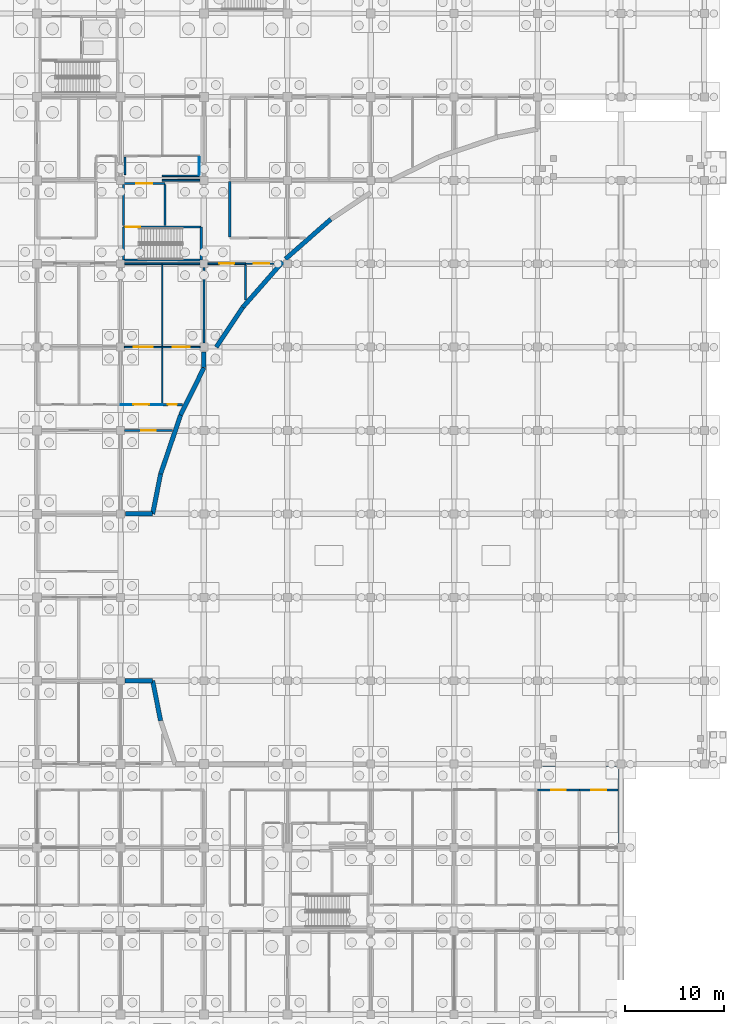
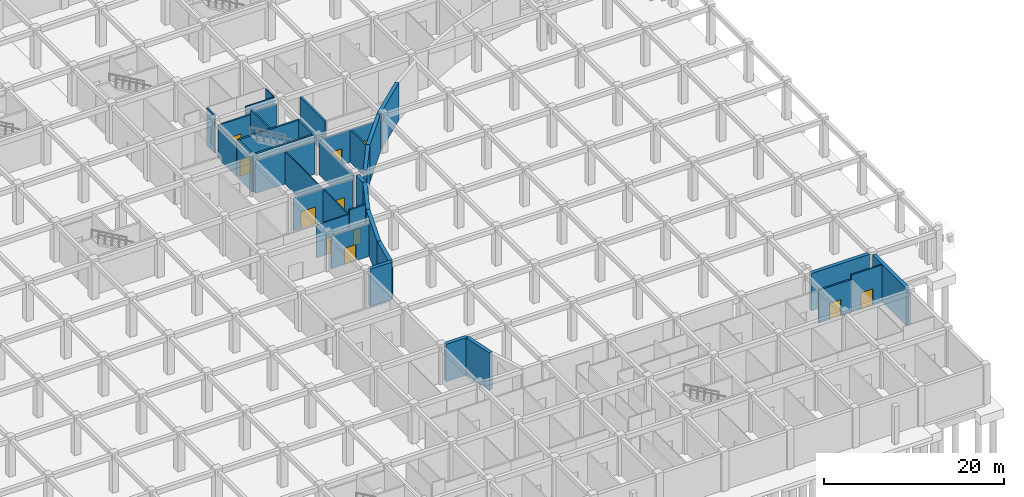
# One storey, part 48 of 65: 39 walls, 11 doors, 11 openings.
"""IFC4 building model written with IfcOpenShell, lengths in metres."""

from ifc_helpers import new_model, si_unit, direction, frame, frame_2d, origin, place, context, subcontext, project, spatial, rectangle, extrude, material, layer, layer_set, type_object, element, fill, save


model = new_model("IFC4")

# Units and contexts
model_context = context("Model", 3, precision=1e-05, world=origin(), true_north=direction((0.0, 1.0)))
body_context = subcontext(model_context, "Body", "Model", "MODEL_VIEW")
ifc_project = project(units=[si_unit("LENGTHUNIT", "METRE"), si_unit("AREAUNIT", "SQUARE_METRE"), si_unit("VOLUMEUNIT", "CUBIC_METRE"), si_unit("PLANEANGLEUNIT", "RADIAN"), si_unit("MASSUNIT", "GRAM", prefix="KILO")], contexts=[model_context])

# Site, building, storey
site_placement = place(None, origin())
site = spatial("IfcSite", under=ifc_project, at=site_placement, CompositionType="ELEMENT")
building_placement = place(site_placement, origin())
building = spatial("IfcBuilding", under=site, at=building_placement, Name="Bramfleet General Hospital", CompositionType="ELEMENT")
storey_placement = place(building_placement, frame((0.0, 0.0, -5.39990234375)))
storey = spatial("IfcBuildingStorey", under=building, at=storey_placement, Name="B1", CompositionType="ELEMENT", Elevation=-5.39990234375)

# Walls
ifc_material_1 = material(Name="Concrete C35/45", Category="concrete")
ifc_layer_1 = layer(ifc_material_1, 0.449951171875, Name="WT-EW-01")
ifc_layer_set_1 = layer_set([ifc_layer_1], Name="Concrete C35/45")
wall_type_1 = type_object("IfcWallType", Name="WT-EW-01", PredefinedType="SOLIDWALL", material=ifc_layer_set_1)
for number, where, z_axis, x_axis, name in (
    (1, (147.178955078125, 80.0810546875, 0.0), (0.0, 0.0, 1.0), (-0.751754569085, -0.659442998189, 0.0), "B1 Waterproof Retaining Wall 41"),
    (2, (142.324951171875, 75.7880859375, 0.0), (0.0, 0.0, 1.0), (-0.659400362996, -0.751791966758, 0.0), "B1 Waterproof Retaining Wall 42"),
):
    element("IfcWall", number, at=place(storey_placement, frame(where, z_axis=z_axis, x_axis=x_axis)), inside=storey, type_object=wall_type_1, Name=name, PredefinedType="SOLIDWALL", context=body_context, shape_type="SweptSolid", body=[
        extrude(rectangle(XDim=6.074951171875, YDim=0.449951171875, at=frame_2d((3.03759765625, 0.0))), origin(), (0.0, 0.0, 1.0), 5.079833984375),
    ])
wall_1_placement = place(storey_placement, frame((138.319091796875, 71.220947265625, 0.0), z_axis=(0.0, 0.0, 1.0), x_axis=(-0.555468930348, -0.831537291658, 0.0)))
element("IfcWall", 3, at=wall_1_placement, inside=storey, type_object=wall_type_1, Name="B1 Waterproof Retaining Wall 43", PredefinedType="SOLIDWALL", context=body_context, shape_type="SweptSolid", body=[
    extrude(rectangle(XDim=4.835693359375, YDim=0.449951171875, at=frame_2d((2.41796875, 0.0))), origin(), (0.0, 0.0, 1.0), 5.079833984375),
])
wall_2_placement = place(storey_placement, frame((134.39990234375, 66.72509765625, 0.0), z_axis=(0.0, 0.0, 1.0), x_axis=(0.0, -1.0, 0.0)))
element("IfcWall", 4, at=wall_2_placement, inside=storey, type_object=wall_type_1, Name="B1 Waterproof Retaining Wall 44", PredefinedType="SOLIDWALL", context=body_context, shape_type="SweptSolid", body=[
    extrude(rectangle(XDim=1.59912109375, YDim=0.449951171875, at=frame_2d((0.799560546875, 0.0))), origin(), (0.0, 0.0, 1.0), 5.079833984375),
])
wall_3_placement = place(storey_placement, frame((134.39990234375, 65.1259765625, 0.0), z_axis=(0.0, 0.0, 1.0), x_axis=(-0.442290962563, -0.896871620933, 0.0)))
element("IfcWall", 5, at=wall_3_placement, inside=storey, type_object=wall_type_1, Name="B1 Waterproof Retaining Wall 45", PredefinedType="SOLIDWALL", context=body_context, shape_type="SweptSolid", body=[
    extrude(rectangle(XDim=5.30419921875, YDim=0.449951171875, at=frame_2d((2.652099609375, 0.0))), origin(), (0.0, 0.0, 1.0), 5.079833984375),
])
wall_4_placement = place(storey_placement, frame((132.053955078125, 60.368896484375, 0.0), z_axis=(0.0, 0.0, 1.0), x_axis=(-0.321402193691, -0.946942780685, 0.0)))
element("IfcWall", 6, at=wall_4_placement, inside=storey, type_object=wall_type_1, Name="B1 Waterproof Retaining Wall 46", PredefinedType="SOLIDWALL", context=body_context, shape_type="SweptSolid", body=[
    extrude(rectangle(XDim=6.279052734375, YDim=0.449951171875, at=frame_2d((3.1396484375, 0.0))), origin(), (0.0, 0.0, 1.0), 5.079833984375),
])
wall_5_placement = place(storey_placement, frame((130.035888671875, 54.423095703125, 0.0), z_axis=(0.0, 0.0, 1.0), x_axis=(-0.195211869209, -0.980761095334, 0.0)))
element("IfcWall", 7, at=wall_5_placement, inside=storey, type_object=wall_type_1, Name="B1 Waterproof Retaining Wall 47", PredefinedType="SOLIDWALL", context=body_context, shape_type="SweptSolid", body=[
    extrude(rectangle(XDim=4.10205078125, YDim=0.449951171875, at=frame_2d((2.051025390625, 0.0))), origin(), (0.0, 0.0, 1.0), 5.079833984375),
])
for number, where, z_axis, x_axis, name in (
    (8, (129.235107421875, 50.39990234375, 0.0), (0.0, 0.0, 1.0), (-1.0, 0.0, 0.0), "B1 Waterproof Retaining Wall 48"),
    (9, (126.47509765625, 33.60009765625, 0.0), (0.0, 0.0, 1.0), (1.0, 0.0, 0.0), "B1 Waterproof Retaining Wall 51"),
):
    element("IfcWall", number, at=place(storey_placement, frame(where, z_axis=z_axis, x_axis=x_axis)), inside=storey, type_object=wall_type_1, Name=name, PredefinedType="SOLIDWALL", context=body_context, shape_type="SweptSolid", body=[
        extrude(rectangle(XDim=2.760009765625, YDim=0.449951171875, at=frame_2d((1.3798828125, 0.0))), origin(), (0.0, 0.0, 1.0), 5.079833984375),
    ])
wall_6_placement = place(storey_placement, frame((129.235107421875, 33.60009765625, 0.0), z_axis=(0.0, 0.0, 1.0), x_axis=(0.195211869209, -0.980761095334, 0.0)))
element("IfcWall", 10, at=wall_6_placement, inside=storey, type_object=wall_type_1, Name="B1 Waterproof Retaining Wall 52", PredefinedType="SOLIDWALL", context=body_context, shape_type="SweptSolid", body=[
    extrude(rectangle(XDim=4.10205078125, YDim=0.449951171875, at=frame_2d((2.051025390625, 0.0))), origin(), (0.0, 0.0, 1.0), 5.079833984375),
])
wall_7_placement = place(storey_placement, frame((168.47509765625, 25.199951171875, 0.0), z_axis=(0.0, 0.0, 1.0), x_axis=(1.0, 0.0, 0.0)))
element("IfcWall", 11, at=wall_7_placement, inside=storey, type_object=wall_type_1, Name="B1 Waterproof Retaining Wall 61", PredefinedType="SOLIDWALL", context=body_context, shape_type="SweptSolid", body=[
    extrude(rectangle(XDim=7.449951171875, YDim=0.449951171875, at=frame_2d((3.72509765625, 0.0))), origin(), (0.0, 0.0, 1.0), 5.079833984375),
])
wall_8_placement = place(storey_placement, frame((176.39990234375, 24.72509765625, 0.0), z_axis=(0.0, 0.0, 1.0), x_axis=(0.0, -1.0, 0.0)))
element("IfcWall", 12, at=wall_8_placement, inside=storey, type_object=wall_type_1, Name="B1 Waterproof Retaining Wall 62", PredefinedType="SOLIDWALL", context=body_context, shape_type="SweptSolid", body=[
    extrude(rectangle(XDim=7.4501953125, YDim=0.449951171875, at=frame_2d((3.72509765625, 0.0))), origin(), (0.0, 0.0, 1.0), 5.079833984375),
])

# Wall, opening, door
ifc_layer_2 = layer(ifc_material_1, 0.219970703125, Name="WT-IW-01")
ifc_layer_set_2 = layer_set([ifc_layer_2], Name="Concrete C35/45")
wall_type_2 = type_object("IfcWallType", Name="WT-IW-01", PredefinedType="PARTITIONING", material=ifc_layer_set_2)
wall_9_placement = place(storey_placement, frame((126.39501953125, 58.800048828125, 0.0), z_axis=(0.0, 0.0, 1.0), x_axis=(1.0, 0.0, 0.0)))
wall_9 = element("IfcWall", 13, at=wall_9_placement, inside=storey, type_object=wall_type_2, Name="B1 Interior Partition IW-B1-0161", PredefinedType="PARTITIONING", context=body_context, shape_type="SweptSolid", body=[
    extrude(rectangle(XDim=4.830810546875, YDim=0.219970703125, at=frame_2d((2.41552734375, 0.0))), origin(), (0.0, 0.0, 1.0), 4.419921875),
])
opening_1_placement = place(wall_9_placement, frame((1.6904296875, 0.0, 0.0)))
opening_1 = element("IfcOpeningElement", 14, at=opening_1_placement, cuts=wall_9, Name="Opening D0355", PredefinedType="OPENING", context=body_context, shape_type="SweptSolid", body=[
    extrude(rectangle(XDim=1.449951171875, YDim=2.199951171875, at=frame_2d((0.72509765625, 1.10009765625))), frame((0.0, 0.119873046875, 0.0), z_axis=(0.0, -1.0, 0.0), x_axis=(1.0, 0.0, 0.0)), (0.0, 0.0, 1.0), 0.239990234375),
])
ifc_material_2 = material(Name="Stainless steel and acoustic timber leaf", Category="steel")
door_type_1 = type_object("IfcDoorType", Name="DR-D-03", OperationType="NOTDEFINED", PredefinedType="DOOR", material=ifc_material_2)
door_1_placement = place(opening_1_placement, origin())
door_1 = element("IfcDoor", 15, at=door_1_placement, inside=storey, type_object=door_type_1, Name="Central Sterile Supply Room B1-1506 Door D0355", OperationType="SINGLE_SWING_RIGHT", OverallHeight=2.199951171875, OverallWidth=1.449951171875, PredefinedType="DOOR", context=body_context, shape_type="SweptSolid", body=[
    extrude(rectangle(XDim=1.449951171875, YDim=2.199951171875, at=frame_2d((0.72509765625, 1.10009765625))), frame((0.0, 0.02490234375, 0.0), z_axis=(0.0, -1.0, 0.0), x_axis=(1.0, 0.0, 0.0)), (0.0, 0.0, 1.0), 0.050048828125),
])
fill(opening_1, door_1)

wall_10_placement = place(storey_placement, frame((130.199951171875, 61.39990234375, 0.0), z_axis=(0.0, 0.0, 1.0), x_axis=(1.0, 0.0, 0.0)))
wall_10 = element("IfcWall", 16, at=wall_10_placement, inside=storey, type_object=wall_type_2, Name="B1 Interior Partition IW-B1-0181", PredefinedType="PARTITIONING", context=body_context, shape_type="SweptSolid", body=[
    extrude(rectangle(XDim=2.05029296875, YDim=0.219970703125, at=frame_2d((1.025146484375, 0.0))), origin(), (0.0, 0.0, 1.0), 5.06982421875),
])
opening_2_placement = place(wall_10_placement, frame((0.565185546875, 0.0, 0.0)))
opening_2 = element("IfcOpeningElement", 17, at=opening_2_placement, cuts=wall_10, Name="Opening D0357", PredefinedType="OPENING", context=body_context, shape_type="SweptSolid", body=[
    extrude(rectangle(XDim=0.919921875, YDim=2.080078125, at=frame_2d((0.4599609375, 1.0400390625))), frame((0.0, 0.119873046875, 0.0), z_axis=(0.0, -1.0, 0.0), x_axis=(1.0, 0.0, 0.0)), (0.0, 0.0, 1.0), 0.239990234375),
])
door_type_2 = type_object("IfcDoorType", Name="DR-D-25", OperationType="NOTDEFINED", PredefinedType="DOOR", material=ifc_material_2)
door_2_placement = place(opening_2_placement, origin())
door_2 = element("IfcDoor", 18, at=door_2_placement, inside=storey, type_object=door_type_2, Name="Clinical Engineering Workshop B1-1507 Door D0357", OperationType="SINGLE_SWING_LEFT", OverallHeight=2.080078125, OverallWidth=0.919921875, PredefinedType="DOOR", context=body_context, shape_type="SweptSolid", body=[
    extrude(rectangle(XDim=0.919921875, YDim=2.080078125, at=frame_2d((0.4599609375, 1.0400390625))), frame((0.0, 0.02490234375, 0.0), z_axis=(0.0, -1.0, 0.0), x_axis=(1.0, 0.0, 0.0)), (0.0, 0.0, 1.0), 0.050048828125),
])
fill(opening_2, door_2)

# Walls
wall_11_placement = place(storey_placement, frame((137.0, 78.31494140625, 0.0), z_axis=(0.0, 0.0, 1.0), x_axis=(0.0, 1.0, 0.0)))
element("IfcWall", 19, at=wall_11_placement, inside=storey, type_object=wall_type_2, Name="B1 Interior Partition IW-B1-0561", PredefinedType="PARTITIONING", context=body_context, shape_type="SweptSolid", body=[
    extrude(rectangle(XDim=5.570068359375, YDim=0.219970703125, at=frame_2d((2.78515625, 0.0))), origin(), (0.0, 0.0, 1.0), 4.419921875),
])
ifc_layer_3 = layer(ifc_material_1, 0.205078125, Name="WT-IW-02")
ifc_layer_set_3 = layer_set([ifc_layer_3], Name="Concrete C35/45")
wall_type_3 = type_object("IfcWallType", Name="WT-IW-02", PredefinedType="PARTITIONING", material=ifc_layer_set_3)
wall_12_placement = place(storey_placement, frame((130.47998046875, 79.43994140625, 0.0), z_axis=(0.0, 0.0, 1.0), x_axis=(0.0, 1.0, 0.0)))
element("IfcWall", 20, at=wall_12_placement, inside=storey, type_object=wall_type_3, Name="B1 C12 Lobby East Shaft Wall", PredefinedType="PARTITIONING", context=body_context, shape_type="SweptSolid", body=[
    extrude(rectangle(XDim=4.1201171875, YDim=0.205078125, at=frame_2d((2.06005859375, 0.0))), origin(), (0.0, 0.0, 1.0), 5.06982421875),
])
wall_13_placement = place(storey_placement, frame((126.300048828125, 79.43994140625, 0.0), z_axis=(0.0, 0.0, 1.0), x_axis=(0.0, 1.0, 0.0)))
element("IfcWall", 21, at=wall_13_placement, inside=storey, type_object=wall_type_3, Name="B1 C12 Lobby West Compartment Wall", PredefinedType="PARTITIONING", context=body_context, shape_type="SweptSolid", body=[
    extrude(rectangle(XDim=4.1201171875, YDim=0.205078125, at=frame_2d((2.06005859375, 0.0))), origin(), (0.0, 0.0, 1.0), 4.469970703125),
])

# Wall, opening, door
wall_14_placement = place(storey_placement, frame((126.300048828125, 83.679931640625, 0.0), z_axis=(0.0, 0.0, 1.0), x_axis=(1.0, 0.0, 0.0)))
wall_14 = element("IfcWall", 22, at=wall_14_placement, inside=storey, type_object=wall_type_3, Name="B1 C12 Lobby North Compartment Wall", PredefinedType="PARTITIONING", context=body_context, shape_type="SweptSolid", body=[
    extrude(rectangle(XDim=4.179931640625, YDim=0.205078125, at=frame_2d((2.08984375, 0.0))), origin(), (0.0, 0.0, 1.0), 4.419921875),
])
opening_3_placement = place(wall_14_placement, frame((1.2900390625, 0.0, 0.0)))
opening_3 = element("IfcOpeningElement", 23, at=opening_3_placement, cuts=wall_14, Name="Opening D0156", PredefinedType="OPENING", context=body_context, shape_type="SweptSolid", body=[
    extrude(rectangle(XDim=1.60009765625, YDim=2.25, at=frame_2d((0.800048828125, 1.125))), frame((0.0, 0.112548828125, 0.0), z_axis=(0.0, -1.0, 0.0), x_axis=(1.0, 0.0, 0.0)), (0.0, 0.0, 1.0), 0.22509765625),
])
door_type_3 = type_object("IfcDoorType", Name="DR-D-04", OperationType="NOTDEFINED", PredefinedType="DOOR", material=ifc_material_2)
door_3_placement = place(opening_3_placement, origin())
door_3 = element("IfcDoor", 24, at=door_3_placement, inside=storey, type_object=door_type_3, Name="B1 C12 Lobby Fire Door D0156", OperationType="DOUBLE_SWING_LEFT", OverallHeight=2.25, OverallWidth=1.60009765625, PredefinedType="DOOR", context=body_context, shape_type="SweptSolid", body=[
    extrude(rectangle(XDim=1.60009765625, YDim=2.25, at=frame_2d((0.800048828125, 1.125))), frame((0.0, 0.02490234375, 0.0), z_axis=(0.0, -1.0, 0.0), x_axis=(1.0, 0.0, 0.0)), (0.0, 0.0, 1.0), 0.050048828125),
])
fill(opening_3, door_3)

wall_15_placement = place(storey_placement, frame((168.0, 22.60009765625, 0.0), z_axis=(0.0, 0.0, 1.0), x_axis=(1.0, 0.0, 0.0)))
wall_15 = element("IfcWall", 25, at=wall_15_placement, inside=storey, type_object=wall_type_3, Name="B1 Interior Partition IW-B1-0098", PredefinedType="PARTITIONING", context=body_context, shape_type="SweptSolid", body=[
    extrude(rectangle(XDim=4.199951171875, YDim=0.205078125, at=frame_2d((2.10009765625, 0.0))), origin(), (0.0, 0.0, 1.0), 4.469970703125),
])
opening_4_placement = place(wall_15_placement, frame((1.360107421875, 0.0, 0.0)))
opening_4 = element("IfcOpeningElement", 26, at=opening_4_placement, cuts=wall_15, Name="Opening D0400", PredefinedType="OPENING", context=body_context, shape_type="SweptSolid", body=[
    extrude(rectangle(XDim=1.47998046875, YDim=2.219970703125, at=frame_2d((0.739990234375, 1.10986328125))), frame((0.0, 0.112548828125, 0.0), z_axis=(0.0, -1.0, 0.0), x_axis=(1.0, 0.0, 0.0)), (0.0, 0.0, 1.0), 0.22509765625),
])
door_type_4 = type_object("IfcDoorType", Name="DR-D-16", OperationType="NOTDEFINED", PredefinedType="DOOR", material=ifc_material_2)
door_4_placement = place(opening_4_placement, origin())
door_4 = element("IfcDoor", 27, at=door_4_placement, inside=storey, type_object=door_type_4, Name="Clean Medical Supply Store B1-2002 Door D0400", OperationType="SINGLE_SWING_LEFT", OverallHeight=2.219970703125, OverallWidth=1.47998046875, PredefinedType="DOOR", context=body_context, shape_type="SweptSolid", body=[
    extrude(rectangle(XDim=1.47998046875, YDim=2.219970703125, at=frame_2d((0.739990234375, 1.10986328125))), frame((0.0, 0.02490234375, 0.0), z_axis=(0.0, -1.0, 0.0), x_axis=(1.0, 0.0, 0.0)), (0.0, 0.0, 1.0), 0.050048828125),
])
fill(opening_4, door_4)

# Wall
wall_16_placement = place(storey_placement, frame((138.60009765625, 71.966064453125, 0.0), z_axis=(0.0, 0.0, 1.0), x_axis=(0.0, 1.0, 0.0)))
element("IfcWall", 28, at=wall_16_placement, inside=storey, type_object=wall_type_3, Name="B1 Interior Partition IW-B1-0566", PredefinedType="PARTITIONING", context=body_context, shape_type="SweptSolid", body=[
    extrude(rectangle(XDim=3.51904296875, YDim=0.205078125, at=frame_2d((1.759521484375, 0.0))), origin(), (0.0, 0.0, 1.0), 4.419921875),
])

# Wall, opening, door
ifc_layer_4 = layer(ifc_material_1, 0.18994140625, Name="WT-IW-03")
ifc_layer_set_4 = layer_set([ifc_layer_4], Name="Concrete C35/45")
wall_type_4 = type_object("IfcWallType", Name="WT-IW-03", PredefinedType="PARTITIONING", material=ifc_layer_set_4)
wall_17_placement = place(storey_placement, frame((172.199951171875, 22.60009765625, 0.0), z_axis=(0.0, 0.0, 1.0), x_axis=(1.0, 0.0, 0.0)))
wall_17 = element("IfcWall", 29, at=wall_17_placement, inside=storey, type_object=wall_type_4, Name="B1 Interior Partition IW-B1-0099", PredefinedType="PARTITIONING", context=body_context, shape_type="SweptSolid", body=[
    extrude(rectangle(XDim=3.920166015625, YDim=0.18994140625, at=frame_2d((1.9599609375, 0.0))), origin(), (0.0, 0.0, 1.0), 5.06982421875),
])
opening_5_placement = place(wall_17_placement, frame((1.18994140625, 0.0, 0.0)))
opening_5 = element("IfcOpeningElement", 30, at=opening_5_placement, cuts=wall_17, Name="Opening D0401", PredefinedType="OPENING", context=body_context, shape_type="SweptSolid", body=[
    extrude(rectangle(XDim=1.5400390625, YDim=2.239990234375, at=frame_2d((0.77001953125, 1.1201171875))), frame((0.0, 0.10498046875, 0.0), z_axis=(0.0, -1.0, 0.0), x_axis=(1.0, 0.0, 0.0)), (0.0, 0.0, 1.0), 0.2099609375),
])
door_type_5 = type_object("IfcDoorType", Name="DR-D-17", OperationType="NOTDEFINED", PredefinedType="DOOR", material=ifc_material_2)
door_5_placement = place(opening_5_placement, origin())
door_5 = element("IfcDoor", 31, at=door_5_placement, inside=storey, type_object=door_type_5, Name="Clinical Engineering Workshop B1-2002 Door D0401", OperationType="SINGLE_SWING_RIGHT", OverallHeight=2.239990234375, OverallWidth=1.5400390625, PredefinedType="DOOR", context=body_context, shape_type="SweptSolid", body=[
    extrude(rectangle(XDim=1.5400390625, YDim=2.239990234375, at=frame_2d((0.77001953125, 1.1201171875))), frame((0.0, 0.02490234375, 0.0), z_axis=(0.0, -1.0, 0.0), x_axis=(1.0, 0.0, 0.0)), (0.0, 0.0, 1.0), 0.050048828125),
])
fill(opening_5, door_5)

# Walls
wall_18_placement = place(storey_placement, frame((126.39501953125, 75.60009765625, 0.0), z_axis=(0.0, 0.0, 1.0), x_axis=(1.0, 0.0, 0.0)))
element("IfcWall", 32, at=wall_18_placement, inside=storey, type_object=wall_type_4, Name="B1 Interior Partition IW-B1-0219", PredefinedType="PARTITIONING", context=body_context, shape_type="SweptSolid", body=[
    extrude(rectangle(XDim=3.804931640625, YDim=0.18994140625, at=frame_2d((1.90234375, 0.0))), origin(), (0.0, 0.0, 1.0), 4.419921875),
])
ifc_layer_5 = layer(ifc_material_1, 0.179931640625, Name="WT-IW-04")
ifc_layer_set_5 = layer_set([ifc_layer_5], Name="Concrete C35/45")
wall_type_5 = type_object("IfcWallType", Name="WT-IW-04", PredefinedType="PARTITIONING", material=ifc_layer_set_5)
for number, where, z_axis, x_axis, name in (
    (33, (130.199951171875, 75.60009765625, 0.0), (0.0, 0.0, 1.0), (1.0, 0.0, 0.0), "B1 Interior Partition IW-B1-0220"),
    (34, (130.199951171875, 84.0, 0.0), (0.0, 0.0, 1.0), (1.0, 0.0, 0.0), "B1 Interior Partition IW-B1-0244"),
):
    element("IfcWall", number, at=place(storey_placement, frame(where, z_axis=z_axis, x_axis=x_axis)), inside=storey, type_object=wall_type_5, Name=name, PredefinedType="PARTITIONING", context=body_context, shape_type="SweptSolid", body=[
        extrude(rectangle(XDim=3.804931640625, YDim=0.179931640625, at=frame_2d((1.90234375, 0.0))), origin(), (0.0, 0.0, 1.0), 4.419921875),
    ])
wall_19_placement = place(storey_placement, frame((126.449951171875, 84.56494140625, 0.0), z_axis=(0.0, 0.0, 1.0), x_axis=(0.0, 1.0, 0.0)))
element("IfcWall", 35, at=wall_19_placement, inside=storey, type_object=wall_type_5, Name="B1 Interior Partition IW-B1-0544", PredefinedType="PARTITIONING", context=body_context, shape_type="SweptSolid", body=[
    extrude(rectangle(XDim=1.77001953125, YDim=0.179931640625, at=frame_2d((0.885009765625, 0.0))), origin(), (0.0, 0.0, 1.0), 5.06982421875),
])
wall_20_placement = place(storey_placement, frame((134.39990234375, 67.594970703125, 0.0), z_axis=(0.0, 0.0, 1.0), x_axis=(0.0, 1.0, 0.0)))
element("IfcWall", 36, at=wall_20_placement, inside=storey, type_object=wall_type_5, Name="B1 Interior Partition IW-B1-0556", PredefinedType="PARTITIONING", context=body_context, shape_type="SweptSolid", body=[
    extrude(rectangle(XDim=7.610107421875, YDim=0.179931640625, at=frame_2d((3.80517578125, 0.0))), origin(), (0.0, 0.0, 1.0), 4.469970703125),
])

# Wall, opening, door
ifc_material_3 = material(Name="Gypsum plasterboard on acoustic steel studs", Category="steel")
ifc_layer_6 = layer(ifc_material_3, 0.169921875, Name="WT-IW-05")
ifc_layer_set_6 = layer_set([ifc_layer_6], Name="Gypsum plasterboard on acoustic steel studs")
wall_type_6 = type_object("IfcWallType", Name="WT-IW-05", PredefinedType="PARTITIONING", material=ifc_layer_set_6)
wall_21_placement = place(storey_placement, frame((134.794921875, 75.60009765625, 0.0), z_axis=(0.0, 0.0, 1.0), x_axis=(1.0, 0.0, 0.0)))
wall_21 = element("IfcWall", 37, at=wall_21_placement, inside=storey, type_object=wall_type_6, Name="B1 Interior Partition IW-B1-0221", PredefinedType="PARTITIONING", context=body_context, shape_type="SweptSolid", body=[
    extrude(rectangle(XDim=3.80517578125, YDim=0.169921875, at=frame_2d((1.902587890625, 0.0))), origin(), (0.0, 0.0, 1.0), 4.419921875),
])
opening_6_placement = place(wall_21_placement, frame((1.16259765625, 0.0, 0.0)))
opening_6 = element("IfcOpeningElement", 38, at=opening_6_placement, cuts=wall_21, Name="Opening D0368", PredefinedType="OPENING", context=body_context, shape_type="SweptSolid", body=[
    extrude(rectangle(XDim=1.47998046875, YDim=2.219970703125, at=frame_2d((0.739990234375, 1.10986328125))), frame((0.0, 0.094970703125, 0.0), z_axis=(0.0, -1.0, 0.0), x_axis=(1.0, 0.0, 0.0)), (0.0, 0.0, 1.0), 0.18994140625),
])
door_6_placement = place(opening_6_placement, origin())
door_6 = element("IfcDoor", 39, at=door_6_placement, inside=storey, type_object=door_type_4, Name="Clean Medical Supply Store B1-1608 Door D0368", OperationType="SINGLE_SWING_LEFT", OverallHeight=2.219970703125, OverallWidth=1.47998046875, PredefinedType="DOOR", context=body_context, shape_type="SweptSolid", body=[
    extrude(rectangle(XDim=1.47998046875, YDim=2.219970703125, at=frame_2d((0.739990234375, 1.10986328125))), frame((0.0, 0.02490234375, 0.0), z_axis=(0.0, -1.0, 0.0), x_axis=(1.0, 0.0, 0.0)), (0.0, 0.0, 1.0), 0.050048828125),
])
fill(opening_6, door_6)

ifc_layer_7 = layer(ifc_material_3, 0.159912109375, Name="WT-IW-06")
ifc_layer_set_7 = layer_set([ifc_layer_7], Name="Gypsum plasterboard on acoustic steel studs")
wall_type_7 = type_object("IfcWallType", Name="WT-IW-06", PredefinedType="PARTITIONING", material=ifc_layer_set_7)
wall_22_placement = place(storey_placement, frame((138.60009765625, 75.60009765625, 0.0), z_axis=(0.0, 0.0, 1.0), x_axis=(1.0, 0.0, 0.0)))
wall_22 = element("IfcWall", 40, at=wall_22_placement, inside=storey, type_object=wall_type_7, Name="B1 Interior Partition IW-B1-0222", PredefinedType="PARTITIONING", context=body_context, shape_type="SweptSolid", body=[
    extrude(rectangle(XDim=3.1875, YDim=0.159912109375, at=frame_2d((1.59375, 0.0))), origin(), (0.0, 0.0, 1.0), 4.419921875),
])
opening_7_placement = place(wall_22_placement, frame((0.82373046875, 0.0, 0.0)))
opening_7 = element("IfcOpeningElement", 41, at=opening_7_placement, cuts=wall_22, Name="Opening D0369", PredefinedType="OPENING", context=body_context, shape_type="SweptSolid", body=[
    extrude(rectangle(XDim=1.5400390625, YDim=2.239990234375, at=frame_2d((0.77001953125, 1.1201171875))), frame((0.0, 0.08984375, 0.0), z_axis=(0.0, -1.0, 0.0), x_axis=(1.0, 0.0, 0.0)), (0.0, 0.0, 1.0), 0.179931640625),
])
door_7_placement = place(opening_7_placement, origin())
door_7 = element("IfcDoor", 42, at=door_7_placement, inside=storey, type_object=door_type_5, Name="Clinical Engineering Workshop B1-1608 Door D0369", OperationType="SINGLE_SWING_RIGHT", OverallHeight=2.239990234375, OverallWidth=1.5400390625, PredefinedType="DOOR", context=body_context, shape_type="SweptSolid", body=[
    extrude(rectangle(XDim=1.5400390625, YDim=2.239990234375, at=frame_2d((0.77001953125, 1.1201171875))), frame((0.0, 0.02490234375, 0.0), z_axis=(0.0, -1.0, 0.0), x_axis=(1.0, 0.0, 0.0)), (0.0, 0.0, 1.0), 0.050048828125),
])
fill(opening_7, door_7)

ifc_layer_8 = layer(ifc_material_3, 0.139892578125, Name="WT-IW-08")
ifc_layer_set_8 = layer_set([ifc_layer_8], Name="Gypsum plasterboard on acoustic steel studs")
wall_type_8 = type_object("IfcWallType", Name="WT-IW-08", PredefinedType="PARTITIONING", material=ifc_layer_set_8)
wall_23_placement = place(storey_placement, frame((126.39501953125, 67.199951171875, 0.0), z_axis=(0.0, 0.0, 1.0), x_axis=(1.0, 0.0, 0.0)))
wall_23 = element("IfcWall", 43, at=wall_23_placement, inside=storey, type_object=wall_type_8, Name="B1 Interior Partition IW-B1-0200", PredefinedType="PARTITIONING", context=body_context, shape_type="SweptSolid", body=[
    extrude(rectangle(XDim=3.804931640625, YDim=0.139892578125, at=frame_2d((1.90234375, 0.0))), origin(), (0.0, 0.0, 1.0), 4.419921875),
])
opening_8_placement = place(wall_23_placement, frame((0.952392578125, 0.0, 0.0)))
opening_8 = element("IfcOpeningElement", 44, at=opening_8_placement, cuts=wall_23, Name="Opening D0358", PredefinedType="OPENING", context=body_context, shape_type="SweptSolid", body=[
    extrude(rectangle(XDim=1.89990234375, YDim=2.300048828125, at=frame_2d((0.949951171875, 1.14990234375))), frame((0.0, 0.079833984375, 0.0), z_axis=(0.0, -1.0, 0.0), x_axis=(1.0, 0.0, 0.0)), (0.0, 0.0, 1.0), 0.159912109375),
])
door_type_6 = type_object("IfcDoorType", Name="DR-D-06", OperationType="NOTDEFINED", PredefinedType="DOOR", material=ifc_material_2)
door_8_placement = place(opening_8_placement, origin())
door_8 = element("IfcDoor", 45, at=door_8_placement, inside=storey, type_object=door_type_6, Name="Clean Medical Supply Store B1-1508 Door D0358", OperationType="DOUBLE_SWING_LEFT", OverallHeight=2.300048828125, OverallWidth=1.89990234375, PredefinedType="DOOR", context=body_context, shape_type="SweptSolid", body=[
    extrude(rectangle(XDim=1.89990234375, YDim=2.300048828125, at=frame_2d((0.949951171875, 1.14990234375))), frame((0.0, 0.02490234375, 0.0), z_axis=(0.0, -1.0, 0.0), x_axis=(1.0, 0.0, 0.0)), (0.0, 0.0, 1.0), 0.050048828125),
])
fill(opening_8, door_8)

ifc_layer_9 = layer(ifc_material_3, 0.1298828125, Name="WT-IW-09")
ifc_layer_set_9 = layer_set([ifc_layer_9], Name="Gypsum plasterboard on acoustic steel studs")
wall_type_9 = type_object("IfcWallType", Name="WT-IW-09", PredefinedType="PARTITIONING", material=ifc_layer_set_9)
wall_24_placement = place(storey_placement, frame((130.199951171875, 67.199951171875, 0.0), z_axis=(0.0, 0.0, 1.0), x_axis=(1.0, 0.0, 0.0)))
wall_24 = element("IfcWall", 46, at=wall_24_placement, inside=storey, type_object=wall_type_9, Name="B1 Interior Partition IW-B1-0201", PredefinedType="PARTITIONING", context=body_context, shape_type="SweptSolid", body=[
    extrude(rectangle(XDim=3.804931640625, YDim=0.1298828125, at=frame_2d((1.90234375, 0.0))), origin(), (0.0, 0.0, 1.0), 4.419921875),
])
opening_9_placement = place(wall_24_placement, frame((1.052490234375, 0.0, 0.0)))
opening_9 = element("IfcOpeningElement", 47, at=opening_9_placement, cuts=wall_24, Name="Opening D0359", PredefinedType="OPENING", context=body_context, shape_type="SweptSolid", body=[
    extrude(rectangle(XDim=1.699951171875, YDim=2.25, at=frame_2d((0.85009765625, 1.125))), frame((0.0, 0.074951171875, 0.0), z_axis=(0.0, -1.0, 0.0), x_axis=(1.0, 0.0, 0.0)), (0.0, 0.0, 1.0), 0.14990234375),
])
door_type_7 = type_object("IfcDoorType", Name="DR-D-07", OperationType="NOTDEFINED", PredefinedType="DOOR", material=ifc_material_2)
door_9_placement = place(opening_9_placement, origin())
door_9 = element("IfcDoor", 48, at=door_9_placement, inside=storey, type_object=door_type_7, Name="Clinical Engineering Workshop B1-1508 Door D0359", OperationType="DOUBLE_SWING_RIGHT", OverallHeight=2.25, OverallWidth=1.699951171875, PredefinedType="DOOR", context=body_context, shape_type="SweptSolid", body=[
    extrude(rectangle(XDim=1.699951171875, YDim=2.25, at=frame_2d((0.85009765625, 1.125))), frame((0.0, 0.02490234375, 0.0), z_axis=(0.0, -1.0, 0.0), x_axis=(1.0, 0.0, 0.0)), (0.0, 0.0, 1.0), 0.050048828125),
])
fill(opening_9, door_9)

# Walls
wall_25_placement = place(storey_placement, frame((130.199951171875, 84.449951171875, 0.0), z_axis=(0.0, 0.0, 1.0), x_axis=(1.0, 0.0, 0.0)))
element("IfcWall", 49, at=wall_25_placement, inside=storey, type_object=wall_type_9, Name="B1 Interior Partition IW-B1-0249", PredefinedType="PARTITIONING", context=body_context, shape_type="SweptSolid", body=[
    extrude(rectangle(XDim=3.75, YDim=0.1298828125, at=frame_2d((1.875, 0.0))), origin(), (0.0, 0.0, 1.0), 5.06982421875),
])
wall_26_placement = place(storey_placement, frame((130.199951171875, 61.514892578125, 0.0), z_axis=(0.0, 0.0, 1.0), x_axis=(0.0, 1.0, 0.0)))
element("IfcWall", 50, at=wall_26_placement, inside=storey, type_object=wall_type_9, Name="B1 Interior Partition IW-B1-0549", PredefinedType="PARTITIONING", context=body_context, shape_type="SweptSolid", body=[
    extrude(rectangle(XDim=5.570068359375, YDim=0.1298828125, at=frame_2d((2.78515625, 0.0))), origin(), (0.0, 0.0, 1.0), 4.419921875),
])
ifc_layer_10 = layer(ifc_material_3, 0.1201171875, Name="WT-IW-10")
ifc_layer_set_10 = layer_set([ifc_layer_10], Name="Gypsum plasterboard on acoustic steel studs")
wall_type_10 = type_object("IfcWallType", Name="WT-IW-10", PredefinedType="PARTITIONING", material=ifc_layer_set_10)
wall_27_placement = place(storey_placement, frame((130.199951171875, 67.31494140625, 0.0), z_axis=(0.0, 0.0, 1.0), x_axis=(0.0, 1.0, 0.0)))
element("IfcWall", 51, at=wall_27_placement, inside=storey, type_object=wall_type_10, Name="B1 Interior Partition IW-B1-0550", PredefinedType="PARTITIONING", context=body_context, shape_type="SweptSolid", body=[
    extrude(rectangle(XDim=8.170166015625, YDim=0.1201171875, at=frame_2d((4.0849609375, 0.0))), origin(), (0.0, 0.0, 1.0), 4.419921875),
])

# Wall, opening, door
ifc_layer_11 = layer(ifc_material_3, 0.10009765625, Name="WT-IW-12")
ifc_layer_set_11 = layer_set([ifc_layer_11], Name="Gypsum plasterboard on acoustic steel studs")
wall_type_11 = type_object("IfcWallType", Name="WT-IW-12", PredefinedType="PARTITIONING", material=ifc_layer_set_11)
wall_28_placement = place(storey_placement, frame((126.0, 61.39990234375, 0.0), z_axis=(0.0, 0.0, 1.0), x_axis=(1.0, 0.0, 0.0)))
wall_28 = element("IfcWall", 52, at=wall_28_placement, inside=storey, type_object=wall_type_11, Name="B1 Interior Partition IW-B1-0180", PredefinedType="PARTITIONING", context=body_context, shape_type="SweptSolid", body=[
    extrude(rectangle(XDim=4.199951171875, YDim=0.10009765625, at=frame_2d((2.10009765625, 0.0))), origin(), (0.0, 0.0, 1.0), 4.469970703125),
])
opening_10_placement = place(wall_28_placement, frame((1.300048828125, 0.0, 0.0)))
opening_10 = element("IfcOpeningElement", 53, at=opening_10_placement, cuts=wall_28, Name="Opening D0356", PredefinedType="OPENING", context=body_context, shape_type="SweptSolid", body=[
    extrude(rectangle(XDim=1.60009765625, YDim=2.25, at=frame_2d((0.800048828125, 1.125))), frame((0.0, 0.06005859375, 0.0), z_axis=(0.0, -1.0, 0.0), x_axis=(1.0, 0.0, 0.0)), (0.0, 0.0, 1.0), 0.1201171875),
])
door_10_placement = place(opening_10_placement, origin())
door_10 = element("IfcDoor", 54, at=door_10_placement, inside=storey, type_object=door_type_3, Name="Clean Medical Supply Store B1-1507 Door D0356", OperationType="DOUBLE_SWING_LEFT", OverallHeight=2.25, OverallWidth=1.60009765625, PredefinedType="DOOR", context=body_context, shape_type="SweptSolid", body=[
    extrude(rectangle(XDim=1.60009765625, YDim=2.25, at=frame_2d((0.800048828125, 1.125))), frame((0.0, 0.02490234375, 0.0), z_axis=(0.0, -1.0, 0.0), x_axis=(1.0, 0.0, 0.0)), (0.0, 0.0, 1.0), 0.050048828125),
])
fill(opening_10, door_10)

# Walls
wall_29_placement = place(storey_placement, frame((133.949951171875, 84.56494140625, 0.0), z_axis=(0.0, 0.0, 1.0), x_axis=(0.0, 1.0, 0.0)))
element("IfcWall", 55, at=wall_29_placement, inside=storey, type_object=wall_type_11, Name="B1 Interior Partition IW-B1-0552", PredefinedType="PARTITIONING", context=body_context, shape_type="SweptSolid", body=[
    extrude(rectangle(XDim=1.77001953125, YDim=0.10009765625, at=frame_2d((0.885009765625, 0.0))), origin(), (0.0, 0.0, 1.0), 5.06982421875),
])
ifc_material_4 = material(Name="Concrete C40/50", Category="concrete")
ifc_layer_12 = layer(ifc_material_4, 0.239990234375, Name="WT-SW-240")
ifc_layer_set_12 = layer_set([ifc_layer_12], Name="Concrete C40/50")
wall_type_12 = type_object("IfcWallType", Name="WT-SW-240", PredefinedType="SHEAR", material=ifc_layer_set_12)
wall_30_placement = place(storey_placement, frame((126.300048828125, 75.97998046875, 0.0), z_axis=(0.0, 0.0, 1.0), x_axis=(1.0, 0.0, 0.0)))
element("IfcWall", 56, at=wall_30_placement, inside=storey, type_object=wall_type_12, Name="B1 C12 South Stair Shear Wall", PredefinedType="SHEAR", context=body_context, shape_type="SweptSolid", body=[
    extrude(rectangle(XDim=7.820068359375, YDim=0.239990234375, at=frame_2d((3.91015625, 0.0))), origin(), (0.0, 0.0, 1.0), 5.079833984375),
])
for number, where, z_axis, x_axis, name in (
    (57, (126.300048828125, 75.97998046875, 0.0), (0.0, 0.0, 1.0), (0.0, 1.0, 0.0), "B1 C12 West Stair Shear Wall"),
    (58, (134.1201171875, 75.97998046875, 0.0), (0.0, 0.0, 1.0), (0.0, 1.0, 0.0), "B1 C12 East Stair Shear Wall"),
):
    element("IfcWall", number, at=place(storey_placement, frame(where, z_axis=z_axis, x_axis=x_axis)), inside=storey, type_object=wall_type_12, Name=name, PredefinedType="SHEAR", context=body_context, shape_type="SweptSolid", body=[
        extrude(rectangle(XDim=3.320068359375, YDim=0.239990234375, at=frame_2d((1.66015625, 0.0))), origin(), (0.0, 0.0, 1.0), 5.079833984375),
    ])

# Wall, opening, door
wall_31_placement = place(storey_placement, frame((126.300048828125, 79.300048828125, 0.0), z_axis=(0.0, 0.0, 1.0), x_axis=(1.0, 0.0, 0.0)))
wall_31 = element("IfcWall", 59, at=wall_31_placement, inside=storey, type_object=wall_type_12, Name="B1 C12 Stair-Lobby Shear Wall", PredefinedType="SHEAR", context=body_context, shape_type="SweptSolid", body=[
    extrude(rectangle(XDim=7.820068359375, YDim=0.239990234375, at=frame_2d((3.91015625, 0.0))), origin(), (0.0, 0.0, 1.0), 5.079833984375),
])
opening_11_placement = place(wall_31_placement, frame((0.25, 0.0, 0.0)))
opening_11 = element("IfcOpeningElement", 60, at=opening_11_placement, cuts=wall_31, Name="Opening D0155", PredefinedType="OPENING", context=body_context, shape_type="SweptSolid", body=[
    extrude(rectangle(XDim=1.449951171875, YDim=2.199951171875, at=frame_2d((0.72509765625, 1.10009765625))), frame((0.0, 0.1298828125, 0.0), z_axis=(0.0, -1.0, 0.0), x_axis=(1.0, 0.0, 0.0)), (0.0, 0.0, 1.0), 0.260009765625),
])
door_11_placement = place(opening_11_placement, origin())
door_11 = element("IfcDoor", 61, at=door_11_placement, inside=storey, type_object=door_type_1, Name="B1 C12 Escape Stair Fire Door D0155", OperationType="SINGLE_SWING_RIGHT", OverallHeight=2.199951171875, OverallWidth=1.449951171875, PredefinedType="DOOR", context=body_context, shape_type="SweptSolid", body=[
    extrude(rectangle(XDim=1.449951171875, YDim=2.199951171875, at=frame_2d((0.72509765625, 1.10009765625))), frame((0.0, 0.02490234375, 0.0), z_axis=(0.0, -1.0, 0.0), x_axis=(1.0, 0.0, 0.0)), (0.0, 0.0, 1.0), 0.050048828125),
])
fill(opening_11, door_11)

save(model, "model.ifc")
